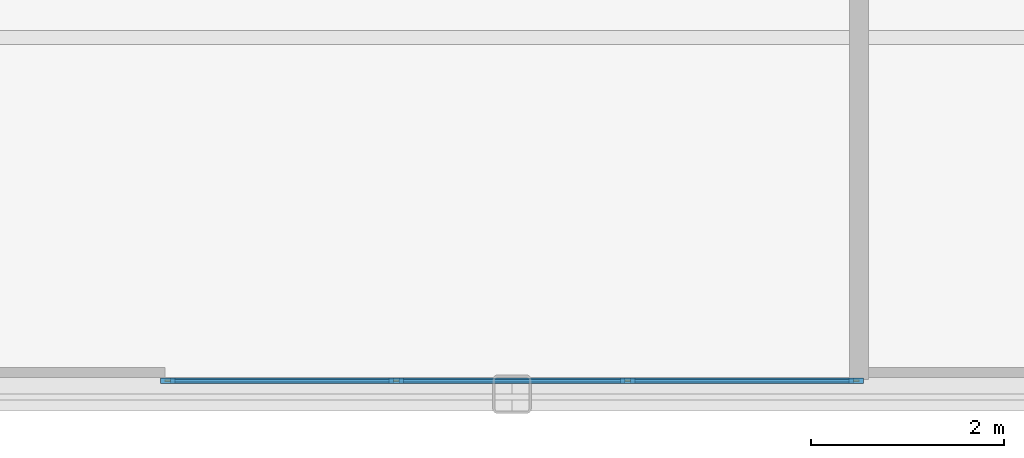
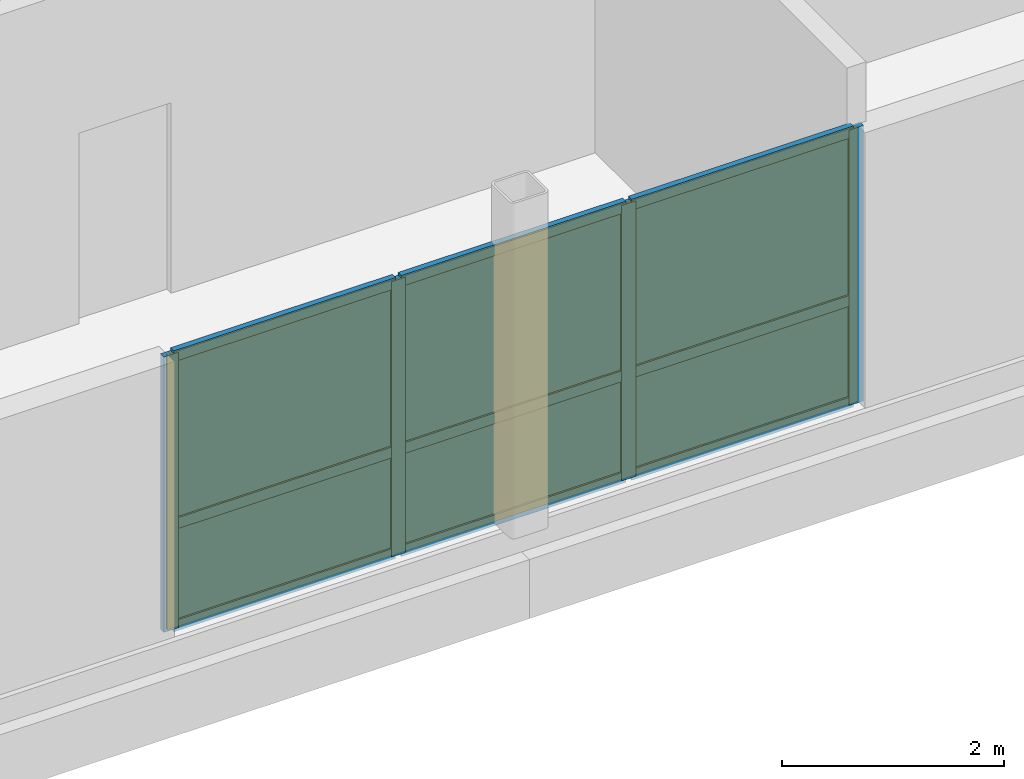
# One storey, part 5 of 10: 13 members, 6 plates, 1 curtain wall.
"""IFC4 building model written with IfcOpenShell, lengths in metres."""

from ifc_helpers import new_model, si_unit, direction, frame, frame_2d, origin, origin_2d, place, context, subcontext, project, spatial, rectangle, extrude, source, transform, mapped, material, layer, layer_set, material_profile, profile_set, type_object, type_shapes, element, aggregate, save


model = new_model("IFC4")

# Units and contexts
model_context = context("Model", 3, precision=1e-05, world=origin(), true_north=direction((0.0, 1.0)))
body_context = subcontext(model_context, "Body", "Model", "MODEL_VIEW")
ifc_project = project(units=[si_unit("LENGTHUNIT", "METRE"), si_unit("AREAUNIT", "SQUARE_METRE"), si_unit("VOLUMEUNIT", "CUBIC_METRE"), si_unit("PLANEANGLEUNIT", "RADIAN"), si_unit("MASSUNIT", "GRAM", prefix="KILO")], contexts=[model_context])

# Member
ifc_material_1 = material(Name="Anodised aluminium 6063-T6", Category="aluminium")
ifc_material_profile_1 = material_profile(ifc_material_1, rectangle(XDim=0.06005859375, YDim=0.14990234375, at=origin_2d()), Name="ALU-MULL-60x150")
ifc_profile_set_1 = profile_set([ifc_material_profile_1], Name="Anodised aluminium 6063-T6")
member_type_1 = type_object("IfcMemberType", Name="CWM-6", PredefinedType="MULLION", material=ifc_profile_set_1)
site_placement = place(None, origin())
building_placement = place(site_placement, origin())
storey_placement = place(building_placement, frame((0.0, 0.0, 295.14990234375)))
member_1_placement = place(storey_placement, frame((-3.570068359375, -16.860107421875, 0.0), z_axis=(0.0, 0.0, 1.0), x_axis=(0.0, 1.0, 0.0)))
member_1 = element("IfcMember", 1, at=member_1_placement, type_object=member_type_1, Name="CWS-6 mullion 1", PredefinedType="MULLION", context=body_context, shape_type="SweptSolid", body=[
    extrude(rectangle(XDim=0.06005859375, YDim=0.14990234375, at=origin_2d()), origin(), (0.0, 0.0, 1.0), 3.03515625),
])

member_2_placement = place(storey_placement, frame((-1.199951171875, -16.860107421875, 0.0), z_axis=(0.0, 0.0, 1.0), x_axis=(0.0, 1.0, 0.0)))
member_2 = element("IfcMember", 2, at=member_2_placement, type_object=member_type_1, Name="CWS-6 mullion 2", PredefinedType="MULLION", context=body_context, shape_type="SweptSolid", body=[
    extrude(rectangle(XDim=0.06005859375, YDim=0.14990234375, at=origin_2d()), origin(), (0.0, 0.0, 1.0), 3.03515625),
])

member_3_placement = place(storey_placement, frame((1.199951171875, -16.860107421875, 0.0), z_axis=(0.0, 0.0, 1.0), x_axis=(0.0, 1.0, 0.0)))
member_3 = element("IfcMember", 3, at=member_3_placement, type_object=member_type_1, Name="CWS-6 mullion 3", PredefinedType="MULLION", context=body_context, shape_type="SweptSolid", body=[
    extrude(rectangle(XDim=0.06005859375, YDim=0.14990234375, at=origin_2d()), origin(), (0.0, 0.0, 1.0), 3.03515625),
])

member_4_placement = place(storey_placement, frame((3.570068359375, -16.860107421875, 0.0), z_axis=(0.0, 0.0, 1.0), x_axis=(0.0, 1.0, 0.0)))
member_4 = element("IfcMember", 4, at=member_4_placement, type_object=member_type_1, Name="CWS-6 mullion 4", PredefinedType="MULLION", context=body_context, shape_type="SweptSolid", body=[
    extrude(rectangle(XDim=0.06005859375, YDim=0.14990234375, at=origin_2d()), origin(), (0.0, 0.0, 1.0), 3.03515625),
])

ifc_material_profile_2 = material_profile(ifc_material_1, rectangle(XDim=0.06005859375, YDim=0.1201171875, at=origin_2d()), Name="ALU-TRAN-60x120")
ifc_profile_set_2 = profile_set([ifc_material_profile_2], Name="Anodised aluminium 6063-T6")
member_type_2 = type_object("IfcMemberType", Name="CWT-6", PredefinedType="USERDEFINED", material=ifc_profile_set_2)
member_5_placement = place(storey_placement, frame((-3.5400390625, -16.860107421875, 0.030029296875), z_axis=(1.0, 0.0, 0.0), x_axis=(0.0, 1.0, 0.0)))
member_5 = element("IfcMember", 5, at=member_5_placement, type_object=member_type_2, Name="CWS-6 transom 1.1", ObjectType="TRANSOM", PredefinedType="USERDEFINED", context=body_context, shape_type="SweptSolid", body=[
    extrude(rectangle(XDim=0.06005859375, YDim=0.1201171875, at=origin_2d()), origin(), (0.0, 0.0, 1.0), 2.31005859375),
])

member_6_placement = place(storey_placement, frame((-3.5400390625, -16.860107421875, 1.1533203125), z_axis=(1.0, 0.0, 0.0), x_axis=(0.0, 1.0, 0.0)))
member_6 = element("IfcMember", 6, at=member_6_placement, type_object=member_type_2, Name="CWS-6 transom 1.2", ObjectType="TRANSOM", PredefinedType="USERDEFINED", context=body_context, shape_type="SweptSolid", body=[
    extrude(rectangle(XDim=0.06005859375, YDim=0.1201171875, at=origin_2d()), origin(), (0.0, 0.0, 1.0), 2.31005859375),
])

member_7_placement = place(storey_placement, frame((-3.5400390625, -16.860107421875, 3.005126953125), z_axis=(1.0, 0.0, 0.0), x_axis=(0.0, 1.0, 0.0)))
member_7 = element("IfcMember", 7, at=member_7_placement, type_object=member_type_2, Name="CWS-6 transom 1.3", ObjectType="TRANSOM", PredefinedType="USERDEFINED", context=body_context, shape_type="SweptSolid", body=[
    extrude(rectangle(XDim=0.06005859375, YDim=0.1201171875, at=origin_2d()), origin(), (0.0, 0.0, 1.0), 2.31005859375),
])

member_8_placement = place(storey_placement, frame((-1.169921875, -16.860107421875, 0.030029296875), z_axis=(1.0, 0.0, 0.0), x_axis=(0.0, 1.0, 0.0)))
member_8 = element("IfcMember", 8, at=member_8_placement, type_object=member_type_2, Name="CWS-6 transom 2.1", ObjectType="TRANSOM", PredefinedType="USERDEFINED", context=body_context, shape_type="SweptSolid", body=[
    extrude(rectangle(XDim=0.06005859375, YDim=0.1201171875, at=origin_2d()), origin(), (0.0, 0.0, 1.0), 2.33984375),
])

member_9_placement = place(storey_placement, frame((-1.169921875, -16.860107421875, 1.1533203125), z_axis=(1.0, 0.0, 0.0), x_axis=(0.0, 1.0, 0.0)))
member_9 = element("IfcMember", 9, at=member_9_placement, type_object=member_type_2, Name="CWS-6 transom 2.2", ObjectType="TRANSOM", PredefinedType="USERDEFINED", context=body_context, shape_type="SweptSolid", body=[
    extrude(rectangle(XDim=0.06005859375, YDim=0.1201171875, at=origin_2d()), origin(), (0.0, 0.0, 1.0), 2.33984375),
])

member_10_placement = place(storey_placement, frame((-1.169921875, -16.860107421875, 3.005126953125), z_axis=(1.0, 0.0, 0.0), x_axis=(0.0, 1.0, 0.0)))
member_10 = element("IfcMember", 10, at=member_10_placement, type_object=member_type_2, Name="CWS-6 transom 2.3", ObjectType="TRANSOM", PredefinedType="USERDEFINED", context=body_context, shape_type="SweptSolid", body=[
    extrude(rectangle(XDim=0.06005859375, YDim=0.1201171875, at=origin_2d()), origin(), (0.0, 0.0, 1.0), 2.33984375),
])

member_11_placement = place(storey_placement, frame((1.22998046875, -16.860107421875, 0.030029296875), z_axis=(1.0, 0.0, 0.0), x_axis=(0.0, 1.0, 0.0)))
member_11 = element("IfcMember", 11, at=member_11_placement, type_object=member_type_2, Name="CWS-6 transom 3.1", ObjectType="TRANSOM", PredefinedType="USERDEFINED", context=body_context, shape_type="SweptSolid", body=[
    extrude(rectangle(XDim=0.06005859375, YDim=0.1201171875, at=origin_2d()), origin(), (0.0, 0.0, 1.0), 2.31005859375),
])

member_12_placement = place(storey_placement, frame((1.22998046875, -16.860107421875, 1.1533203125), z_axis=(1.0, 0.0, 0.0), x_axis=(0.0, 1.0, 0.0)))
member_12 = element("IfcMember", 12, at=member_12_placement, type_object=member_type_2, Name="CWS-6 transom 3.2", ObjectType="TRANSOM", PredefinedType="USERDEFINED", context=body_context, shape_type="SweptSolid", body=[
    extrude(rectangle(XDim=0.06005859375, YDim=0.1201171875, at=origin_2d()), origin(), (0.0, 0.0, 1.0), 2.31005859375),
])

member_13_placement = place(storey_placement, frame((1.22998046875, -16.860107421875, 3.005126953125), z_axis=(1.0, 0.0, 0.0), x_axis=(0.0, 1.0, 0.0)))
member_13 = element("IfcMember", 13, at=member_13_placement, type_object=member_type_2, Name="CWS-6 transom 3.3", ObjectType="TRANSOM", PredefinedType="USERDEFINED", context=body_context, shape_type="SweptSolid", body=[
    extrude(rectangle(XDim=0.06005859375, YDim=0.1201171875, at=origin_2d()), origin(), (0.0, 0.0, 1.0), 2.31005859375),
])

# Plate
ifc_material_2 = material(Name="Insulated solar-control glass", Category="glass")
ifc_layer_1 = layer(ifc_material_2, 0.02392578125, Name="CWP-6")
ifc_layer_set_1 = layer_set([ifc_layer_1], Name="Insulated solar-control glass")
plate_type = type_object("IfcPlateType", Name="CWP-6", PredefinedType="CURTAIN_PANEL", material=ifc_layer_set_1)
shared_shape_1 = source(origin(), body_context, "Body", "SweptSolid", [
    extrude(rectangle(XDim=2.31005859375, YDim=0.02392578125, at=origin_2d()), origin(), (0.0, 0.0, 1.0), 1.063232421875),
])
plate_1_placement = place(storey_placement, frame((-2.385009765625, -16.860107421875, 0.06005859375), z_axis=(0.0, 0.0, 1.0), x_axis=(1.0, 0.0, 0.0)))
plate_1 = element("IfcPlate", 14, at=plate_1_placement, type_object=plate_type, Name="CWS-6 panel 1.1", PredefinedType="CURTAIN_PANEL", context=body_context, shape_type="MappedRepresentation", body=[
    mapped(shared_shape_1, transform((0.0, 0.0, 0.0), scale=1.0)),
])

plate_2_placement = place(storey_placement, frame((2.385009765625, -16.860107421875, 0.06005859375), z_axis=(0.0, 0.0, 1.0), x_axis=(1.0, 0.0, 0.0)))
plate_2 = element("IfcPlate", 15, at=plate_2_placement, type_object=plate_type, Name="CWS-6 panel 3.1", PredefinedType="CURTAIN_PANEL", context=body_context, shape_type="MappedRepresentation", body=[
    mapped(shared_shape_1, transform((0.0, 0.0, 0.0), scale=1.0)),
])

shared_shape_2 = source(origin(), body_context, "Body", "SweptSolid", [
    extrude(rectangle(XDim=2.31005859375, YDim=0.02392578125, at=origin_2d()), origin(), (0.0, 0.0, 1.0), 1.791748046875),
])
plate_3_placement = place(storey_placement, frame((-2.385009765625, -16.860107421875, 1.18359375), z_axis=(0.0, 0.0, 1.0), x_axis=(1.0, 0.0, 0.0)))
plate_3 = element("IfcPlate", 16, at=plate_3_placement, type_object=plate_type, Name="CWS-6 panel 1.2", PredefinedType="CURTAIN_PANEL", context=body_context, shape_type="MappedRepresentation", body=[
    mapped(shared_shape_2, transform((0.0, 0.0, 0.0), scale=1.0)),
])

plate_4_placement = place(storey_placement, frame((2.385009765625, -16.860107421875, 1.18359375), z_axis=(0.0, 0.0, 1.0), x_axis=(1.0, 0.0, 0.0)))
plate_4 = element("IfcPlate", 17, at=plate_4_placement, type_object=plate_type, Name="CWS-6 panel 3.2", PredefinedType="CURTAIN_PANEL", context=body_context, shape_type="MappedRepresentation", body=[
    mapped(shared_shape_2, transform((0.0, 0.0, 0.0), scale=1.0)),
])

shared_shape_3 = source(origin(), body_context, "Body", "SweptSolid", [
    extrude(rectangle(XDim=2.340087890625, YDim=0.02392578125, at=origin_2d()), origin(), (0.0, 0.0, 1.0), 1.063232421875),
])
plate_5_placement = place(storey_placement, frame((0.0, -16.860107421875, 0.06005859375), z_axis=(0.0, 0.0, 1.0), x_axis=(1.0, 0.0, 0.0)))
plate_5 = element("IfcPlate", 18, at=plate_5_placement, type_object=plate_type, Name="CWS-6 panel 2.1", PredefinedType="CURTAIN_PANEL", context=body_context, shape_type="MappedRepresentation", body=[
    mapped(shared_shape_3, transform((0.0, 0.0, 0.0), scale=1.0)),
])

shared_shape_4 = source(origin(), body_context, "Body", "SweptSolid", [
    extrude(rectangle(XDim=2.340087890625, YDim=0.02392578125, at=origin_2d()), origin(), (0.0, 0.0, 1.0), 1.791748046875),
])
type_shapes(plate_type, [shared_shape_1, shared_shape_2, shared_shape_3, shared_shape_4])
plate_6_placement = place(storey_placement, frame((0.0, -16.860107421875, 1.18359375), z_axis=(0.0, 0.0, 1.0), x_axis=(1.0, 0.0, 0.0)))
plate_6 = element("IfcPlate", 19, at=plate_6_placement, type_object=plate_type, Name="CWS-6 panel 2.2", PredefinedType="CURTAIN_PANEL", context=body_context, shape_type="MappedRepresentation", body=[
    mapped(shared_shape_4, transform((0.0, 0.0, 0.0), scale=1.0)),
])

# Site, building, storey
site = spatial("IfcSite", under=ifc_project, at=site_placement, CompositionType="ELEMENT")
building = spatial("IfcBuilding", under=site, at=building_placement, Name="Nuvemarco Arch Tower", CompositionType="ELEMENT")
storey = spatial("IfcBuildingStorey", under=building, at=storey_placement, Name="L78", CompositionType="ELEMENT", Elevation=295.14990234375)

# Curtain wall
ifc_layer_2 = layer(ifc_material_2, 0.14990234375, Name="CW-SYS-6")
ifc_layer_set_2 = layer_set([ifc_layer_2], Name="Insulated solar-control glass")
curtain_wall_type = type_object("IfcCurtainWallType", Name="CW-SYS-6", PredefinedType="NOTDEFINED", material=ifc_layer_set_2)
curtain_wall_placement = place(storey_placement, frame((-3.60009765625, -16.860107421875, 0.0), z_axis=(0.0, 0.0, 1.0), x_axis=(1.0, 0.0, 0.0)))
curtain_wall = element("IfcCurtainWall", 20, at=curtain_wall_placement, inside=storey, type_object=curtain_wall_type, Name="L78 curtain wall CWS-6", PredefinedType="NOTDEFINED", context=body_context, shape_type="SweptSolid", body=[
    extrude(rectangle(XDim=7.2001953125, YDim=0.02001953125, at=frame_2d((3.60009765625, 0.0))), origin(), (0.0, 0.0, 1.0), 3.03515625),
])

aggregate(curtain_wall, [member_1, member_2, member_3, member_4, member_5, member_6, member_7, plate_1, plate_3, member_8, member_9, member_10, plate_5, plate_6, member_11, member_12, member_13, plate_2, plate_4])

save(model, "model.ifc")
